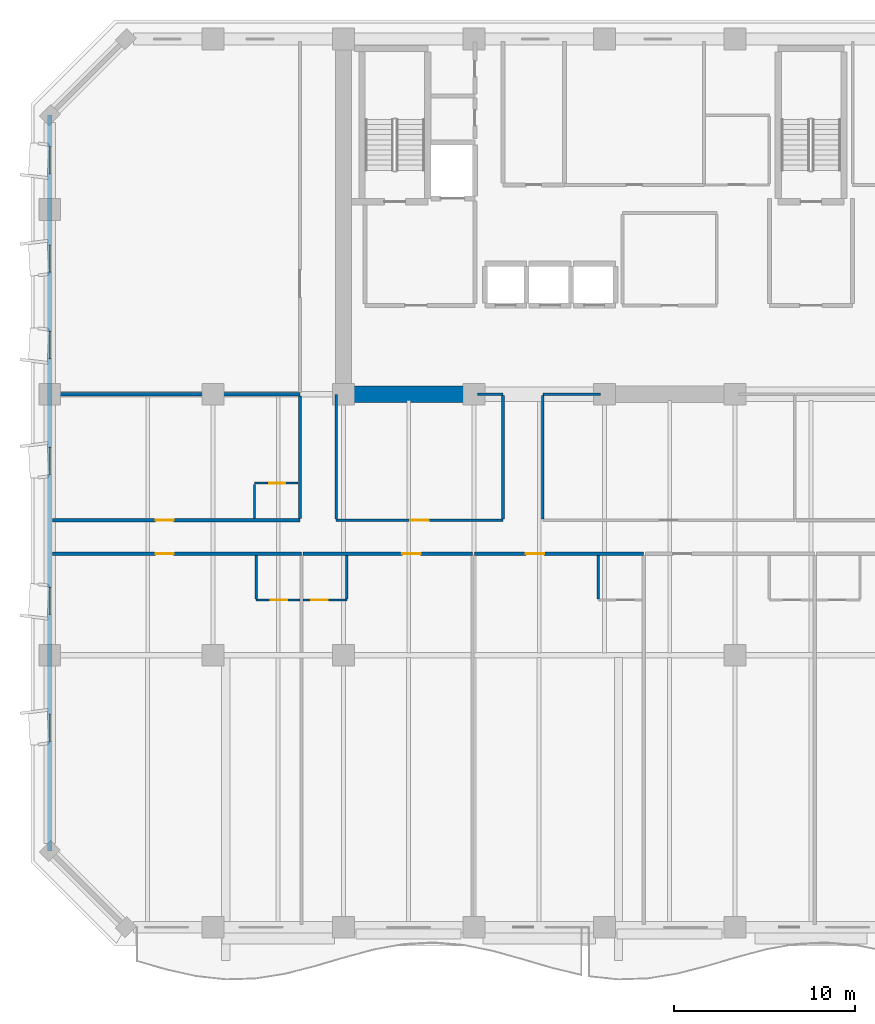
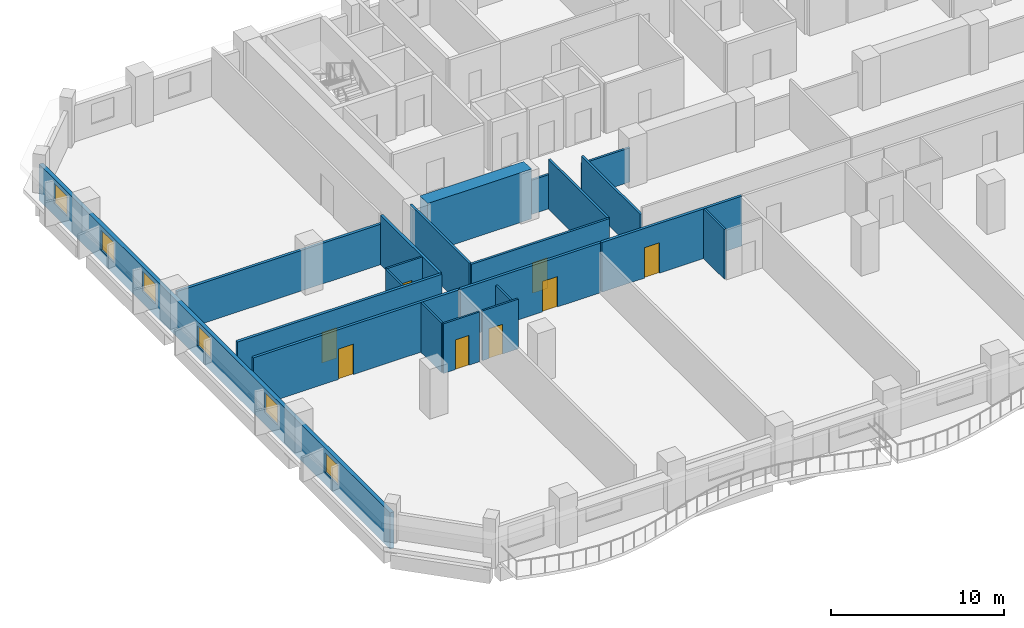
# One storey, part 4 of 14: 21 walls, 8 doors, 6 windows, 14 openings.
"""IFC4 building model written with IfcOpenShell, lengths in metres."""

from ifc_helpers import new_model, si_unit, direction, frame, frame_2d, origin, place, context, subcontext, project, spatial, rectangle, extrude, material, layer, layer_set, type_object, element, fill, save


model = new_model("IFC4")

# Units and contexts
model_context = context("Model", 3, precision=1e-05, world=origin(), true_north=direction((0.0, 1.0)))
body_context = subcontext(model_context, "Body", "Model", "MODEL_VIEW")
ifc_project = project(units=[si_unit("LENGTHUNIT", "METRE"), si_unit("AREAUNIT", "SQUARE_METRE"), si_unit("VOLUMEUNIT", "CUBIC_METRE"), si_unit("PLANEANGLEUNIT", "RADIAN"), si_unit("MASSUNIT", "GRAM", prefix="KILO")], contexts=[model_context])

# Site, building, storey
site_placement = place(None, origin())
site = spatial("IfcSite", under=ifc_project, at=site_placement, CompositionType="ELEMENT")
building_placement = place(site_placement, origin())
building = spatial("IfcBuilding", under=site, at=building_placement, Name="Kaelvorn Grand Hotel", CompositionType="ELEMENT")
storey_placement = place(building_placement, frame((0.0, 0.0, 89.300048828125)))
storey = spatial("IfcBuildingStorey", under=building, at=storey_placement, Name="L20", CompositionType="ELEMENT", Elevation=89.300048828125)

# Wall
ifc_material_1 = material(Name="Concrete C60/75", Category="concrete")
ifc_layer_1 = layer(ifc_material_1, 0.89990234375)
ifc_layer_set_1 = layer_set([ifc_layer_1], Name="Concrete C60/75")
wall_type_1 = type_object("IfcWallType", Name="WL-CORE-900-C60", PredefinedType="SHEAR", material=ifc_layer_set_1)
wall_1_placement = place(storey_placement, frame((16.655029296875, 29.39990234375, 0.0), z_axis=(0.0, 0.0, 1.0), x_axis=(1.0, 0.0, 0.0)))
element("IfcWall", 1, at=wall_1_placement, inside=storey, type_object=wall_type_1, Name="L20 Rear-Core Coupled Shear Pier S1", PredefinedType="SHEAR", context=body_context, shape_type="SweptSolid", body=[
    extrude(rectangle(XDim=6.945068359375, YDim=0.89990234375, at=frame_2d((3.47265625, 0.0))), origin(), (0.0, 0.0, 1.0), 3.510009765625),
])

# Wall, openings, windows
ifc_material_2 = material(Name="Concrete C40/50", Category="concrete")
ifc_layer_2 = layer(ifc_material_2, 0.260009765625)
ifc_layer_set_2 = layer_set([ifc_layer_2], Name="Concrete C40/50")
wall_type_2 = type_object("IfcWallType", Name="WL-EXT-260-C40", PredefinedType="SOLIDWALL", material=ifc_layer_set_2)
wall_2_placement = place(storey_placement, frame((0.0, 44.800048828125, 0.0), z_axis=(0.0, 0.0, 1.0), x_axis=(0.0, -1.0, 0.0)))
wall_2 = element("IfcWall", 2, at=wall_2_placement, inside=storey, type_object=wall_type_2, Name="L20 Exterior Architectural Concrete Wall 07", PredefinedType="SOLIDWALL", context=body_context, shape_type="SweptSolid", body=[
    extrude(rectangle(XDim=40.60009765625, YDim=0.260009765625, at=frame_2d((20.300048828125, 0.0))), origin(), (0.0, 0.0, 1.0), 2.56005859375),
])
opening_1_placement = place(wall_2_placement, frame((33.050048828125, 0.0, 0.85009765625)))
opening_1 = element("IfcOpeningElement", 3, at=opening_1_placement, cuts=wall_2, Name="Opening W10", PredefinedType="OPENING", context=body_context, shape_type="SweptSolid", body=[
    extrude(rectangle(XDim=1.5, YDim=1.39990234375, at=frame_2d((0.75, 0.699951171875))), frame((0.0, 0.14013671875, 0.0), z_axis=(0.0, -1.0, 0.0), x_axis=(1.0, 0.0, 0.0)), (0.0, 0.0, 1.0), 0.280029296875),
])
opening_2_placement = place(wall_2_placement, frame((26.050048828125, 0.0, 0.85009765625)))
opening_2 = element("IfcOpeningElement", 4, at=opening_2_placement, cuts=wall_2, Name="Opening W10", PredefinedType="OPENING", context=body_context, shape_type="SweptSolid", body=[
    extrude(rectangle(XDim=1.5, YDim=1.39990234375, at=frame_2d((0.75, 0.699951171875))), frame((0.0, 0.14013671875, 0.0), z_axis=(0.0, -1.0, 0.0), x_axis=(1.0, 0.0, 0.0)), (0.0, 0.0, 1.0), 0.280029296875),
])
opening_3_placement = place(wall_2_placement, frame((18.324951171875, 0.0, 0.85009765625)))
opening_3 = element("IfcOpeningElement", 5, at=opening_3_placement, cuts=wall_2, Name="Opening W10", PredefinedType="OPENING", context=body_context, shape_type="SweptSolid", body=[
    extrude(rectangle(XDim=1.5, YDim=1.39990234375, at=frame_2d((0.75, 0.699951171875))), frame((0.0, 0.14013671875, 0.0), z_axis=(0.0, -1.0, 0.0), x_axis=(1.0, 0.0, 0.0)), (0.0, 0.0, 1.0), 0.280029296875),
])
opening_4_placement = place(wall_2_placement, frame((11.93505859375, 0.0, 0.85009765625)))
opening_4 = element("IfcOpeningElement", 6, at=opening_4_placement, cuts=wall_2, Name="Opening W10", PredefinedType="OPENING", context=body_context, shape_type="SweptSolid", body=[
    extrude(rectangle(XDim=1.5, YDim=1.39990234375, at=frame_2d((0.75, 0.699951171875))), frame((0.0, 0.14013671875, 0.0), z_axis=(0.0, -1.0, 0.0), x_axis=(1.0, 0.0, 0.0)), (0.0, 0.0, 1.0), 0.280029296875),
])
opening_5_placement = place(wall_2_placement, frame((7.1650390625, 0.0, 0.85009765625)))
opening_5 = element("IfcOpeningElement", 7, at=opening_5_placement, cuts=wall_2, Name="Opening W10", PredefinedType="OPENING", context=body_context, shape_type="SweptSolid", body=[
    extrude(rectangle(XDim=1.5, YDim=1.39990234375, at=frame_2d((0.75, 0.699951171875))), frame((0.0, 0.14013671875, 0.0), z_axis=(0.0, -1.0, 0.0), x_axis=(1.0, 0.0, 0.0)), (0.0, 0.0, 1.0), 0.280029296875),
])
opening_6_placement = place(wall_2_placement, frame((1.735107421875, 0.0, 0.85009765625)))
opening_6 = element("IfcOpeningElement", 8, at=opening_6_placement, cuts=wall_2, Name="Opening W10", PredefinedType="OPENING", context=body_context, shape_type="SweptSolid", body=[
    extrude(rectangle(XDim=1.5, YDim=1.39990234375, at=frame_2d((0.75, 0.699951171875))), frame((0.0, 0.14013671875, 0.0), z_axis=(0.0, -1.0, 0.0), x_axis=(1.0, 0.0, 0.0)), (0.0, 0.0, 1.0), 0.280029296875),
])
ifc_material_3 = material(Name="Laminated Low-E Glass", Category="glass")
window_type = type_object("IfcWindowType", Name="WIN-COR-1500x1400", PartitioningType="SINGLE_PANEL", PredefinedType="WINDOW", material=ifc_material_3)
window_1_placement = place(opening_1_placement, origin())
window_1 = element("IfcWindow", 9, at=window_1_placement, inside=storey, type_object=window_type, Name="L20 W Wing Tilted-Frame Ribbon Window W01", OverallHeight=1.39990234375, OverallWidth=1.5, PartitioningType="SINGLE_PANEL", PredefinedType="WINDOW", context=body_context, shape_type="SweptSolid", body=[
    extrude(rectangle(XDim=1.5, YDim=1.39990234375, at=frame_2d((0.75, 0.699951171875))), frame((0.0, 0.030029296875, 0.0), z_axis=(0.0, -1.0, 0.0), x_axis=(1.0, 0.0, 0.0)), (0.0, 0.0, 1.0), 0.06005859375),
])
fill(opening_1, window_1)
window_2_placement = place(opening_2_placement, origin())
window_2 = element("IfcWindow", 10, at=window_2_placement, inside=storey, type_object=window_type, Name="L20 W Wing Tilted-Frame Ribbon Window W02", OverallHeight=1.39990234375, OverallWidth=1.5, PartitioningType="SINGLE_PANEL", PredefinedType="WINDOW", context=body_context, shape_type="SweptSolid", body=[
    extrude(rectangle(XDim=1.5, YDim=1.39990234375, at=frame_2d((0.75, 0.699951171875))), frame((0.0, 0.030029296875, 0.0), z_axis=(0.0, -1.0, 0.0), x_axis=(1.0, 0.0, 0.0)), (0.0, 0.0, 1.0), 0.06005859375),
])
fill(opening_2, window_2)
window_3_placement = place(opening_3_placement, origin())
window_3 = element("IfcWindow", 11, at=window_3_placement, inside=storey, type_object=window_type, Name="L20 W Wing Tilted-Frame Ribbon Window W03", OverallHeight=1.39990234375, OverallWidth=1.5, PartitioningType="SINGLE_PANEL", PredefinedType="WINDOW", context=body_context, shape_type="SweptSolid", body=[
    extrude(rectangle(XDim=1.5, YDim=1.39990234375, at=frame_2d((0.75, 0.699951171875))), frame((0.0, 0.030029296875, 0.0), z_axis=(0.0, -1.0, 0.0), x_axis=(1.0, 0.0, 0.0)), (0.0, 0.0, 1.0), 0.06005859375),
])
fill(opening_3, window_3)
window_4_placement = place(opening_4_placement, origin())
window_4 = element("IfcWindow", 12, at=window_4_placement, inside=storey, type_object=window_type, Name="L20 W Wing Tilted-Frame Ribbon Window W04", OverallHeight=1.39990234375, OverallWidth=1.5, PartitioningType="SINGLE_PANEL", PredefinedType="WINDOW", context=body_context, shape_type="SweptSolid", body=[
    extrude(rectangle(XDim=1.5, YDim=1.39990234375, at=frame_2d((0.75, 0.699951171875))), frame((0.0, 0.030029296875, 0.0), z_axis=(0.0, -1.0, 0.0), x_axis=(1.0, 0.0, 0.0)), (0.0, 0.0, 1.0), 0.06005859375),
])
fill(opening_4, window_4)
window_5_placement = place(opening_5_placement, origin())
window_5 = element("IfcWindow", 13, at=window_5_placement, inside=storey, type_object=window_type, Name="L20 W Wing Tilted-Frame Ribbon Window W05", OverallHeight=1.39990234375, OverallWidth=1.5, PartitioningType="SINGLE_PANEL", PredefinedType="WINDOW", context=body_context, shape_type="SweptSolid", body=[
    extrude(rectangle(XDim=1.5, YDim=1.39990234375, at=frame_2d((0.75, 0.699951171875))), frame((0.0, 0.030029296875, 0.0), z_axis=(0.0, -1.0, 0.0), x_axis=(1.0, 0.0, 0.0)), (0.0, 0.0, 1.0), 0.06005859375),
])
fill(opening_5, window_5)
window_6_placement = place(opening_6_placement, origin())
window_6 = element("IfcWindow", 14, at=window_6_placement, inside=storey, type_object=window_type, Name="L20 W Wing Tilted-Frame Ribbon Window W06", OverallHeight=1.39990234375, OverallWidth=1.5, PartitioningType="SINGLE_PANEL", PredefinedType="WINDOW", context=body_context, shape_type="SweptSolid", body=[
    extrude(rectangle(XDim=1.5, YDim=1.39990234375, at=frame_2d((0.75, 0.699951171875))), frame((0.0, 0.030029296875, 0.0), z_axis=(0.0, -1.0, 0.0), x_axis=(1.0, 0.0, 0.0)), (0.0, 0.0, 1.0), 0.06005859375),
])
fill(opening_6, window_6)

# Wall, opening, door
ifc_material_4 = material(Name="Moisture-Resistant Tile & Stud Board")
ifc_layer_3 = layer(ifc_material_4, 0.125)
ifc_layer_set_3 = layer_set([ifc_layer_3], Name="Moisture-Resistant Tile & Stud Board")
wall_type_3 = type_object("IfcWallType", Name="WL-PART-125-WET", PredefinedType="PARTITIONING", material=ifc_layer_set_3)
wall_3_placement = place(storey_placement, frame((11.3876953125, 18.050048828125, 0.0), z_axis=(0.0, 0.0, 1.0), x_axis=(1.0, 0.0, 0.0)))
wall_3 = element("IfcWall", 15, at=wall_3_placement, inside=storey, type_object=wall_type_3, Name="L20 En-suite Bathroom L20-01 S Partition", PredefinedType="PARTITIONING", context=body_context, shape_type="SweptSolid", body=[
    extrude(rectangle(XDim=2.405029296875, YDim=0.125, at=frame_2d((1.20263671875, 0.0))), origin(), (0.0, 0.0, 1.0), 3.510009765625),
])
opening_7_placement = place(wall_3_placement, frame((0.800048828125, 0.0, 0.0)))
opening_7 = element("IfcOpeningElement", 16, at=opening_7_placement, cuts=wall_3, Name="Opening DI4", PredefinedType="OPENING", context=body_context, shape_type="SweptSolid", body=[
    extrude(rectangle(XDim=0.89990234375, YDim=2.10009765625, at=frame_2d((0.449951171875, 1.050048828125))), frame((0.0, 0.072509765625, 0.0), z_axis=(0.0, -1.0, 0.0), x_axis=(1.0, 0.0, 0.0)), (0.0, 0.0, 1.0), 0.14501953125),
])
ifc_material_5 = material(Name="Timber Veneer Leaf", Category="wood")
door_type_1 = type_object("IfcDoorType", Name="DR-INT-BATH-900x2100", OperationType="NOTDEFINED", PredefinedType="DOOR", material=ifc_material_5)
door_1_placement = place(opening_7_placement, origin())
door_1 = element("IfcDoor", 17, at=door_1_placement, inside=storey, type_object=door_type_1, Name="L20 En-suite Bathroom L20-01 Door", OperationType="SINGLE_SWING_RIGHT", OverallHeight=2.10009765625, OverallWidth=0.89990234375, PredefinedType="DOOR", context=body_context, shape_type="SweptSolid", body=[
    extrude(rectangle(XDim=0.89990234375, YDim=2.10009765625, at=frame_2d((0.449951171875, 1.050048828125))), frame((0.0, 0.02490234375, 0.0), z_axis=(0.0, -1.0, 0.0), x_axis=(1.0, 0.0, 0.0)), (0.0, 0.0, 1.0), 0.050048828125),
])
fill(opening_7, door_1)

# Wall
wall_4_placement = place(storey_placement, frame((11.3876953125, 18.117431640625, 0.0), z_axis=(0.0, 0.0, 1.0), x_axis=(0.0, 1.0, 0.0)))
element("IfcWall", 18, at=wall_4_placement, inside=storey, type_object=wall_type_3, Name="L20 En-suite Bathroom L20-01 W Partition", PredefinedType="PARTITIONING", context=body_context, shape_type="SweptSolid", body=[
    extrude(rectangle(XDim=2.387451171875, YDim=0.125, at=frame_2d((1.19384765625, 0.0))), origin(), (0.0, 0.0, 1.0), 3.510009765625),
])

# Wall, opening, door
wall_5_placement = place(storey_placement, frame((13.982666015625, 18.050048828125, 0.0), z_axis=(0.0, 0.0, 1.0), x_axis=(1.0, 0.0, 0.0)))
wall_5 = element("IfcWall", 19, at=wall_5_placement, inside=storey, type_object=wall_type_3, Name="L20 En-suite Bathroom L20-02 S Partition", PredefinedType="PARTITIONING", context=body_context, shape_type="SweptSolid", body=[
    extrude(rectangle(XDim=2.405029296875, YDim=0.125, at=frame_2d((1.20263671875, 0.0))), origin(), (0.0, 0.0, 1.0), 3.510009765625),
])
opening_8_placement = place(wall_5_placement, frame((0.455078125, 0.0, 0.0)))
opening_8 = element("IfcOpeningElement", 20, at=opening_8_placement, cuts=wall_5, Name="Opening DI4", PredefinedType="OPENING", context=body_context, shape_type="SweptSolid", body=[
    extrude(rectangle(XDim=0.89990234375, YDim=2.10009765625, at=frame_2d((0.449951171875, 1.050048828125))), frame((0.0, 0.072509765625, 0.0), z_axis=(0.0, -1.0, 0.0), x_axis=(1.0, 0.0, 0.0)), (0.0, 0.0, 1.0), 0.14501953125),
])
door_2_placement = place(opening_8_placement, origin())
door_2 = element("IfcDoor", 21, at=door_2_placement, inside=storey, type_object=door_type_1, Name="L20 En-suite Bathroom L20-02 Door", OperationType="SINGLE_SWING_RIGHT", OverallHeight=2.10009765625, OverallWidth=0.89990234375, PredefinedType="DOOR", context=body_context, shape_type="SweptSolid", body=[
    extrude(rectangle(XDim=0.89990234375, YDim=2.10009765625, at=frame_2d((0.449951171875, 1.050048828125))), frame((0.0, 0.02490234375, 0.0), z_axis=(0.0, -1.0, 0.0), x_axis=(1.0, 0.0, 0.0)), (0.0, 0.0, 1.0), 0.050048828125),
])
fill(opening_8, door_2)

# Walls
wall_6_placement = place(storey_placement, frame((16.3876953125, 18.117431640625, 0.0), z_axis=(0.0, 0.0, 1.0), x_axis=(0.0, 1.0, 0.0)))
element("IfcWall", 22, at=wall_6_placement, inside=storey, type_object=wall_type_3, Name="L20 En-suite Bathroom L20-02 E Partition", PredefinedType="PARTITIONING", context=body_context, shape_type="SweptSolid", body=[
    extrude(rectangle(XDim=2.387451171875, YDim=0.125, at=frame_2d((1.19384765625, 0.0))), origin(), (0.0, 0.0, 1.0), 2.976806640625),
])
wall_7_placement = place(storey_placement, frame((30.26318359375, 18.117431640625, 0.0), z_axis=(0.0, 0.0, 1.0), x_axis=(0.0, 1.0, 0.0)))
element("IfcWall", 23, at=wall_7_placement, inside=storey, type_object=wall_type_3, Name="L20 En-suite Bathroom L20-03 W Partition", PredefinedType="PARTITIONING", context=body_context, shape_type="SweptSolid", body=[
    extrude(rectangle(XDim=2.387451171875, YDim=0.125, at=frame_2d((1.19384765625, 0.0))), origin(), (0.0, 0.0, 1.0), 3.510009765625),
])

# Wall, opening, door
wall_8_placement = place(storey_placement, frame((11.300048828125, 24.5, 0.0), z_axis=(0.0, 0.0, 1.0), x_axis=(1.0, 0.0, 0.0)))
wall_8 = element("IfcWall", 24, at=wall_8_placement, inside=storey, type_object=wall_type_3, Name="L20 En-suite Bathroom L20-09 N Partition", PredefinedType="PARTITIONING", context=body_context, shape_type="SweptSolid", body=[
    extrude(rectangle(XDim=2.405029296875, YDim=0.125, at=frame_2d((1.20263671875, 0.0))), origin(), (0.0, 0.0, 1.0), 3.510009765625),
])
opening_9_placement = place(wall_8_placement, frame((0.800048828125, 0.0, 0.0)))
opening_9 = element("IfcOpeningElement", 25, at=opening_9_placement, cuts=wall_8, Name="Opening DI4", PredefinedType="OPENING", context=body_context, shape_type="SweptSolid", body=[
    extrude(rectangle(XDim=0.89990234375, YDim=2.10009765625, at=frame_2d((0.449951171875, 1.050048828125))), frame((0.0, 0.072509765625, 0.0), z_axis=(0.0, -1.0, 0.0), x_axis=(1.0, 0.0, 0.0)), (0.0, 0.0, 1.0), 0.14501953125),
])
door_3_placement = place(opening_9_placement, origin())
door_3 = element("IfcDoor", 26, at=door_3_placement, inside=storey, type_object=door_type_1, Name="L20 En-suite Bathroom L20-09 Door", OperationType="SINGLE_SWING_RIGHT", OverallHeight=2.10009765625, OverallWidth=0.89990234375, PredefinedType="DOOR", context=body_context, shape_type="SweptSolid", body=[
    extrude(rectangle(XDim=0.89990234375, YDim=2.10009765625, at=frame_2d((0.449951171875, 1.050048828125))), frame((0.0, 0.02490234375, 0.0), z_axis=(0.0, -1.0, 0.0), x_axis=(1.0, 0.0, 0.0)), (0.0, 0.0, 1.0), 0.050048828125),
])
fill(opening_9, door_3)

# Wall
wall_9_placement = place(storey_placement, frame((11.300048828125, 22.544921875, 0.0), z_axis=(0.0, 0.0, 1.0), x_axis=(0.0, 1.0, 0.0)))
element("IfcWall", 27, at=wall_9_placement, inside=storey, type_object=wall_type_3, Name="L20 En-suite Bathroom L20-09 W Partition", PredefinedType="PARTITIONING", context=body_context, shape_type="SweptSolid", body=[
    extrude(rectangle(XDim=1.8876953125, YDim=0.125, at=frame_2d((0.94384765625, 0.0))), origin(), (0.0, 0.0, 1.0), 3.510009765625),
])

# Wall, opening, door
ifc_material_6 = material(Name="Acoustic Gypsum & Stud Partition")
ifc_layer_4 = layer(ifc_material_6, 0.14990234375)
ifc_layer_set_4 = layer_set([ifc_layer_4], Name="Acoustic Gypsum & Stud Partition")
wall_type_4 = type_object("IfcWallType", Name="WL-PART-150-EI60", PredefinedType="PARTITIONING", material=ifc_layer_set_4)
wall_10_placement = place(storey_placement, frame((15.800048828125, 22.449951171875, 0.0), z_axis=(0.0, 0.0, 1.0), x_axis=(1.0, 0.0, 0.0)))
wall_10 = element("IfcWall", 28, at=wall_10_placement, inside=storey, type_object=wall_type_4, Name="L20 Art Gallery Salon S Partition", PredefinedType="PARTITIONING", context=body_context, shape_type="SweptSolid", body=[
    extrude(rectangle(XDim=9.199951171875, YDim=0.14990234375, at=frame_2d((4.60009765625, 0.0))), origin(), (0.0, 0.0, 1.0), 3.510009765625),
])
opening_10_placement = place(wall_10_placement, frame((4.10009765625, 0.0, 0.0)))
opening_10 = element("IfcOpeningElement", 29, at=opening_10_placement, cuts=wall_10, Name="Opening DI3", PredefinedType="OPENING", context=body_context, shape_type="SweptSolid", body=[
    extrude(rectangle(XDim=1.0, YDim=2.14990234375, at=frame_2d((0.5, 1.074951171875))), frame((0.0, 0.0849609375, 0.0), z_axis=(0.0, -1.0, 0.0), x_axis=(1.0, 0.0, 0.0)), (0.0, 0.0, 1.0), 0.169921875),
])
ifc_material_7 = material(Name="Timber Veneer Fire Leaf", Category="wood")
door_type_2 = type_object("IfcDoorType", Name="DR-INT-GUEST-1000x2150", OperationType="NOTDEFINED", PredefinedType="DOOR", material=ifc_material_7)
door_4_placement = place(opening_10_placement, origin())
door_4 = element("IfcDoor", 30, at=door_4_placement, inside=storey, type_object=door_type_2, Name="L20 Art Gallery Salon Door", OperationType="SINGLE_SWING_LEFT", OverallHeight=2.14990234375, OverallWidth=1.0, PredefinedType="DOOR", context=body_context, shape_type="SweptSolid", body=[
    extrude(rectangle(XDim=1.0, YDim=2.14990234375, at=frame_2d((0.5, 1.074951171875))), frame((0.0, 0.02490234375, 0.0), z_axis=(0.0, -1.0, 0.0), x_axis=(1.0, 0.0, 0.0)), (0.0, 0.0, 1.0), 0.050048828125),
])
fill(opening_10, door_4)

# Walls
wall_11_placement = place(storey_placement, frame((23.610107421875, 29.39990234375, 0.0), z_axis=(0.0, 0.0, 1.0), x_axis=(1.0, 0.0, 0.0)))
element("IfcWall", 31, at=wall_11_placement, inside=storey, type_object=wall_type_4, Name="L20 Art Gallery Salon N Partition", PredefinedType="PARTITIONING", context=body_context, shape_type="SweptSolid", body=[
    extrude(rectangle(XDim=1.389892578125, YDim=0.14990234375, at=frame_2d((0.69482421875, 0.0))), origin(), (0.0, 0.0, 1.0), 2.409912109375),
])
wall_12_placement = place(storey_placement, frame((15.800048828125, 22.530029296875, 0.0), z_axis=(0.0, 0.0, 1.0), x_axis=(0.0, 1.0, 0.0)))
element("IfcWall", 32, at=wall_12_placement, inside=storey, type_object=wall_type_4, Name="L20 Art Gallery Salon W Partition", PredefinedType="PARTITIONING", context=body_context, shape_type="SweptSolid", body=[
    extrude(rectangle(XDim=6.85986328125, YDim=0.14990234375, at=frame_2d((3.429931640625, 0.0))), origin(), (0.0, 0.0, 1.0), 3.510009765625),
])
wall_13_placement = place(storey_placement, frame((25.0, 22.530029296875, 0.0), z_axis=(0.0, 0.0, 1.0), x_axis=(0.0, 1.0, 0.0)))
element("IfcWall", 33, at=wall_13_placement, inside=storey, type_object=wall_type_4, Name="L20 Art Gallery Salon E Partition", PredefinedType="PARTITIONING", context=body_context, shape_type="SweptSolid", body=[
    extrude(rectangle(XDim=6.7900390625, YDim=0.14990234375, at=frame_2d((3.39501953125, 0.0))), origin(), (0.0, 0.0, 1.0), 3.510009765625),
])
wall_14_placement = place(storey_placement, frame((27.199951171875, 29.39990234375, 0.0), z_axis=(0.0, 0.0, 1.0), x_axis=(1.0, 0.0, 0.0)))
element("IfcWall", 34, at=wall_14_placement, inside=storey, type_object=wall_type_4, Name="L20 Pastry & Tea Kitchen N Partition (1)", PredefinedType="PARTITIONING", context=body_context, shape_type="SweptSolid", body=[
    extrude(rectangle(XDim=3.18994140625, YDim=0.14990234375, at=frame_2d((1.594970703125, 0.0))), origin(), (0.0, 0.0, 1.0), 2.409912109375),
])
wall_15_placement = place(storey_placement, frame((27.199951171875, 22.530029296875, 0.0), z_axis=(0.0, 0.0, 1.0), x_axis=(0.0, 1.0, 0.0)))
element("IfcWall", 35, at=wall_15_placement, inside=storey, type_object=wall_type_4, Name="L20 Pastry & Tea Kitchen W Partition", PredefinedType="PARTITIONING", context=body_context, shape_type="SweptSolid", body=[
    extrude(rectangle(XDim=6.7900390625, YDim=0.14990234375, at=frame_2d((3.39501953125, 0.0))), origin(), (0.0, 0.0, 1.0), 2.976806640625),
])

# Wall, opening, door
ifc_layer_5 = layer(ifc_material_6, 0.179931640625)
ifc_layer_set_5 = layer_set([ifc_layer_5], Name="Acoustic Gypsum & Stud Partition")
wall_type_5 = type_object("IfcWallType", Name="WL-PART-180-EI60", PredefinedType="PARTITIONING", material=ifc_layer_set_5)
wall_16_placement = place(storey_placement, frame((0.14990234375, 20.60009765625, 0.0), z_axis=(0.0, 0.0, 1.0), x_axis=(1.0, 0.0, 0.0)))
wall_16 = element("IfcWall", 36, at=wall_16_placement, inside=storey, type_object=wall_type_5, Name="L20 Presidential Sky Suite L20-01 N Partition", PredefinedType="PARTITIONING", context=body_context, shape_type="SweptSolid", body=[
    extrude(rectangle(XDim=13.73779296875, YDim=0.179931640625, at=frame_2d((6.868896484375, 0.0))), origin(), (0.0, 0.0, 1.0), 3.510009765625),
])
opening_11_placement = place(wall_16_placement, frame((5.68505859375, 0.0, 0.0)))
opening_11 = element("IfcOpeningElement", 37, at=opening_11_placement, cuts=wall_16, Name="Opening DI3", PredefinedType="OPENING", context=body_context, shape_type="SweptSolid", body=[
    extrude(rectangle(XDim=1.0, YDim=2.14990234375, at=frame_2d((0.5, 1.074951171875))), frame((0.0, 0.10009765625, 0.0), z_axis=(0.0, -1.0, 0.0), x_axis=(1.0, 0.0, 0.0)), (0.0, 0.0, 1.0), 0.199951171875),
])
door_5_placement = place(opening_11_placement, origin())
door_5 = element("IfcDoor", 38, at=door_5_placement, inside=storey, type_object=door_type_2, Name="L20 Presidential Sky Suite L20-01 Door", OperationType="SINGLE_SWING_LEFT", OverallHeight=2.14990234375, OverallWidth=1.0, PredefinedType="DOOR", context=body_context, shape_type="SweptSolid", body=[
    extrude(rectangle(XDim=1.0, YDim=2.14990234375, at=frame_2d((0.5, 1.074951171875))), frame((0.0, 0.02490234375, 0.0), z_axis=(0.0, -1.0, 0.0), x_axis=(1.0, 0.0, 0.0)), (0.0, 0.0, 1.0), 0.050048828125),
])
fill(opening_11, door_5)

wall_17_placement = place(storey_placement, frame((13.982666015625, 20.60009765625, 0.0), z_axis=(0.0, 0.0, 1.0), x_axis=(1.0, 0.0, 0.0)))
wall_17 = element("IfcWall", 39, at=wall_17_placement, inside=storey, type_object=wall_type_5, Name="L20 Deluxe Panoramic Suite L20-02 N Partition", PredefinedType="PARTITIONING", context=body_context, shape_type="SweptSolid", body=[
    extrude(rectangle(XDim=9.3427734375, YDim=0.179931640625, at=frame_2d((4.67138671875, 0.0))), origin(), (0.0, 0.0, 1.0), 3.510009765625),
])
opening_12_placement = place(wall_17_placement, frame((5.47119140625, 0.0, 0.0)))
opening_12 = element("IfcOpeningElement", 40, at=opening_12_placement, cuts=wall_17, Name="Opening DI3", PredefinedType="OPENING", context=body_context, shape_type="SweptSolid", body=[
    extrude(rectangle(XDim=1.0, YDim=2.14990234375, at=frame_2d((0.5, 1.074951171875))), frame((0.0, 0.10009765625, 0.0), z_axis=(0.0, -1.0, 0.0), x_axis=(1.0, 0.0, 0.0)), (0.0, 0.0, 1.0), 0.199951171875),
])
door_6_placement = place(opening_12_placement, origin())
door_6 = element("IfcDoor", 41, at=door_6_placement, inside=storey, type_object=door_type_2, Name="L20 Deluxe Panoramic Suite L20-02 Door", OperationType="SINGLE_SWING_LEFT", OverallHeight=2.14990234375, OverallWidth=1.0, PredefinedType="DOOR", context=body_context, shape_type="SweptSolid", body=[
    extrude(rectangle(XDim=1.0, YDim=2.14990234375, at=frame_2d((0.5, 1.074951171875))), frame((0.0, 0.02490234375, 0.0), z_axis=(0.0, -1.0, 0.0), x_axis=(1.0, 0.0, 0.0)), (0.0, 0.0, 1.0), 0.050048828125),
])
fill(opening_12, door_6)

wall_18_placement = place(storey_placement, frame((23.42041015625, 20.60009765625, 0.0), z_axis=(0.0, 0.0, 1.0), x_axis=(1.0, 0.0, 0.0)))
wall_18 = element("IfcWall", 42, at=wall_18_placement, inside=storey, type_object=wall_type_5, Name="L20 Deluxe Panoramic Suite L20-03 N Partition", PredefinedType="PARTITIONING", context=body_context, shape_type="SweptSolid", body=[
    extrude(rectangle(XDim=9.3427734375, YDim=0.179931640625, at=frame_2d((4.67138671875, 0.0))), origin(), (0.0, 0.0, 1.0), 3.510009765625),
])
opening_13_placement = place(wall_18_placement, frame((2.85107421875, 0.0, 0.0)))
opening_13 = element("IfcOpeningElement", 43, at=opening_13_placement, cuts=wall_18, Name="Opening DI3", PredefinedType="OPENING", context=body_context, shape_type="SweptSolid", body=[
    extrude(rectangle(XDim=1.0, YDim=2.14990234375, at=frame_2d((0.5, 1.074951171875))), frame((0.0, 0.10009765625, 0.0), z_axis=(0.0, -1.0, 0.0), x_axis=(1.0, 0.0, 0.0)), (0.0, 0.0, 1.0), 0.199951171875),
])
door_7_placement = place(opening_13_placement, origin())
door_7 = element("IfcDoor", 44, at=door_7_placement, inside=storey, type_object=door_type_2, Name="L20 Deluxe Panoramic Suite L20-03 Door", OperationType="SINGLE_SWING_LEFT", OverallHeight=2.14990234375, OverallWidth=1.0, PredefinedType="DOOR", context=body_context, shape_type="SweptSolid", body=[
    extrude(rectangle(XDim=1.0, YDim=2.14990234375, at=frame_2d((0.5, 1.074951171875))), frame((0.0, 0.02490234375, 0.0), z_axis=(0.0, -1.0, 0.0), x_axis=(1.0, 0.0, 0.0)), (0.0, 0.0, 1.0), 0.050048828125),
])
fill(opening_13, door_7)

wall_19_placement = place(storey_placement, frame((0.14990234375, 22.449951171875, 0.0), z_axis=(0.0, 0.0, 1.0), x_axis=(1.0, 0.0, 0.0)))
wall_19 = element("IfcWall", 45, at=wall_19_placement, inside=storey, type_object=wall_type_5, Name="L20 West Chamfer Corner Suite L20-09 S Partition", PredefinedType="PARTITIONING", context=body_context, shape_type="SweptSolid", body=[
    extrude(rectangle(XDim=13.650146484375, YDim=0.179931640625, at=frame_2d((6.8251953125, 0.0))), origin(), (0.0, 0.0, 1.0), 3.510009765625),
])
opening_14_placement = place(wall_19_placement, frame((5.68505859375, 0.0, 0.0)))
opening_14 = element("IfcOpeningElement", 46, at=opening_14_placement, cuts=wall_19, Name="Opening DI3", PredefinedType="OPENING", context=body_context, shape_type="SweptSolid", body=[
    extrude(rectangle(XDim=1.0, YDim=2.14990234375, at=frame_2d((0.5, 1.074951171875))), frame((0.0, 0.10009765625, 0.0), z_axis=(0.0, -1.0, 0.0), x_axis=(1.0, 0.0, 0.0)), (0.0, 0.0, 1.0), 0.199951171875),
])
door_8_placement = place(opening_14_placement, origin())
door_8 = element("IfcDoor", 47, at=door_8_placement, inside=storey, type_object=door_type_2, Name="L20 West Chamfer Corner Suite L20-09 Door", OperationType="SINGLE_SWING_LEFT", OverallHeight=2.14990234375, OverallWidth=1.0, PredefinedType="DOOR", context=body_context, shape_type="SweptSolid", body=[
    extrude(rectangle(XDim=1.0, YDim=2.14990234375, at=frame_2d((0.5, 1.074951171875))), frame((0.0, 0.02490234375, 0.0), z_axis=(0.0, -1.0, 0.0), x_axis=(1.0, 0.0, 0.0)), (0.0, 0.0, 1.0), 0.050048828125),
])
fill(opening_14, door_8)

# Walls
wall_20_placement = place(storey_placement, frame((0.14990234375, 29.39990234375, 0.0), z_axis=(0.0, 0.0, 1.0), x_axis=(1.0, 0.0, 0.0)))
element("IfcWall", 48, at=wall_20_placement, inside=storey, type_object=wall_type_5, Name="L20 West Chamfer Corner Suite L20-09 N Partition", PredefinedType="PARTITIONING", context=body_context, shape_type="SweptSolid", body=[
    extrude(rectangle(XDim=13.650146484375, YDim=0.179931640625, at=frame_2d((6.8251953125, 0.0))), origin(), (0.0, 0.0, 1.0), 2.85986328125),
])
wall_21_placement = place(storey_placement, frame((13.800048828125, 22.544921875, 0.0), z_axis=(0.0, 0.0, 1.0), x_axis=(0.0, 1.0, 0.0)))
element("IfcWall", 49, at=wall_21_placement, inside=storey, type_object=wall_type_5, Name="L20 West Chamfer Corner Suite L20-09 E Partition", PredefinedType="PARTITIONING", context=body_context, shape_type="SweptSolid", body=[
    extrude(rectangle(XDim=6.760009765625, YDim=0.179931640625, at=frame_2d((3.3798828125, 0.0))), origin(), (0.0, 0.0, 1.0), 3.510009765625),
])

save(model, "model.ifc")
